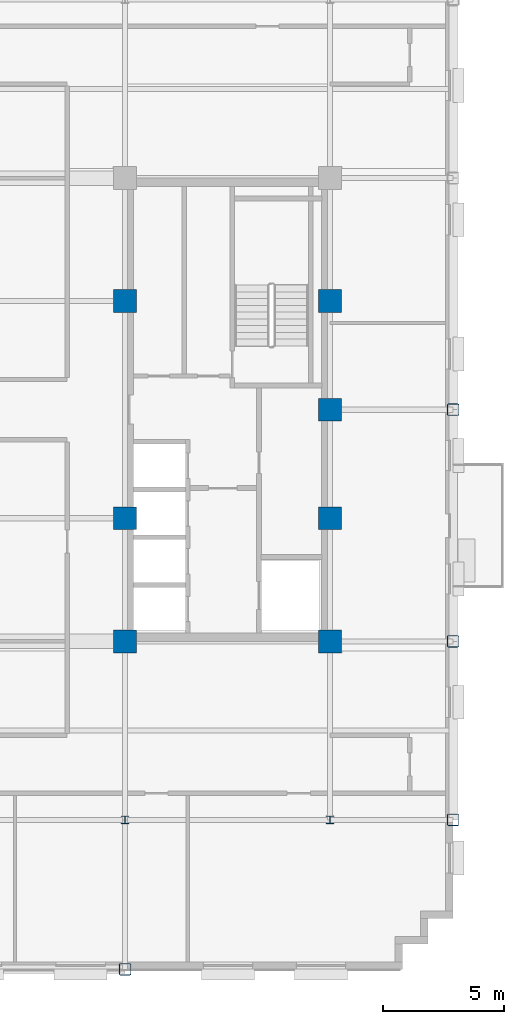
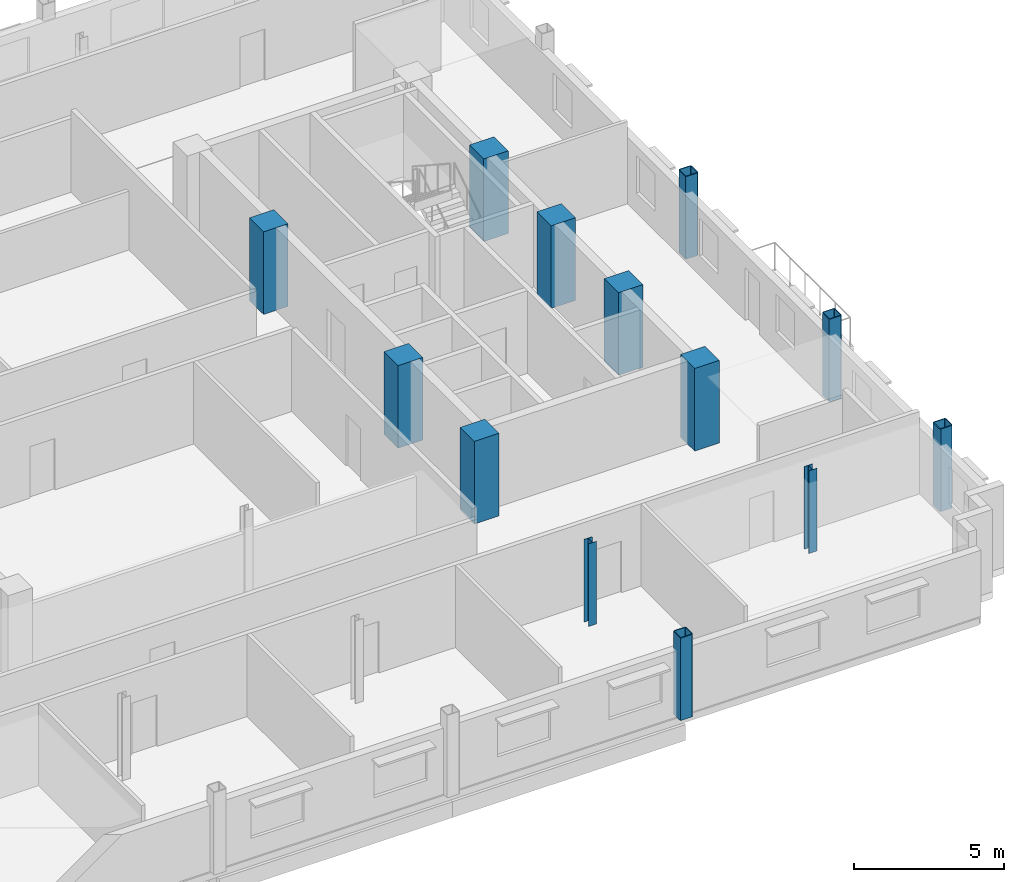
# One storey, part 2 of 15: 13 columns.
"""IFC4 building model written with IfcOpenShell, lengths in metres."""

from ifc_helpers import new_model, si_unit, direction, frame, origin, origin_2d, place, context, subcontext, project, spatial, rectangle, hollow_rectangle, i_section, extrude, material, material_profile, profile_set, type_object, element, save


model = new_model("IFC4")

# Units and contexts
model_context = context("Model", 3, precision=1e-05, world=origin(), true_north=direction((0.0, 1.0)))
body_context = subcontext(model_context, "Body", "Model", "MODEL_VIEW")
ifc_project = project(units=[si_unit("LENGTHUNIT", "METRE"), si_unit("AREAUNIT", "SQUARE_METRE"), si_unit("VOLUMEUNIT", "CUBIC_METRE"), si_unit("PLANEANGLEUNIT", "RADIAN"), si_unit("MASSUNIT", "GRAM", prefix="KILO")], contexts=[model_context])

# Site, building, storey
site_placement = place(None, origin())
site = spatial("IfcSite", under=ifc_project, at=site_placement, CompositionType="ELEMENT")
building_placement = place(site_placement, origin())
building = spatial("IfcBuilding", under=site, at=building_placement, Name="Nuvemarco Arch Tower", CompositionType="ELEMENT")
storey_placement = place(building_placement, frame((0.0, 0.0, 198.199951171875)))
storey = spatial("IfcBuildingStorey", under=building, at=storey_placement, Name="L52", CompositionType="ELEMENT", Elevation=198.199951171875)

# Columns
ifc_material_1 = material(Name="Concrete C50/60", Category="concrete")
ifc_material_profile_1 = material_profile(ifc_material_1, rectangle(XDim=0.949951171875, YDim=0.949951171875, at=origin_2d()), Name="RC-COL-950x950")
ifc_profile_set_1 = profile_set([ifc_material_profile_1], Name="Concrete C50/60")
column_type_1 = type_object("IfcColumnType", Name="COL-CORE-950", PredefinedType="COLUMN", material=ifc_profile_set_1)
for number, where, z_axis, x_axis, name in (
    (1, (9.0, -9.60009765625, 0.0), (0.0, 0.0, 1.0), (1.0, 0.0, 0.0), "L52 column CC_+9.0_-9.6"),
    (2, (9.0, -4.5, 0.0), (0.0, 0.0, 1.0), (1.0, 0.0, 0.0), "L52 column CC_+9.0_-4.5"),
    (3, (9.0, 4.5, 0.0), (0.0, 0.0, 1.0), (1.0, 0.0, 0.0), "L52 column CC_+9.0_+4.5"),
    (4, (17.5, -9.60009765625, 0.0), (0.0, 0.0, 1.0), (1.0, 0.0, 0.0), "L52 column CC_+17.5_-9.6"),
    (5, (17.5, -4.5, 0.0), (0.0, 0.0, 1.0), (1.0, 0.0, 0.0), "L52 column CC_+17.5_-4.5"),
    (6, (17.5, 4.5, 0.0), (0.0, 0.0, 1.0), (1.0, 0.0, 0.0), "L52 column CC_+17.5_+4.5"),
    (7, (17.5, 0.0, 0.0), (0.0, 0.0, 1.0), (1.0, 0.0, 0.0), "L52 column CC_+17.5_+0.0"),
):
    element("IfcColumn", number, at=place(storey_placement, frame(where, z_axis=z_axis, x_axis=x_axis)), inside=storey, type_object=column_type_1, Name=name, PredefinedType="COLUMN", context=body_context, shape_type="SweptSolid", body=[
        extrude(rectangle(XDim=0.949951171875, YDim=0.949951171875, at=origin_2d()), origin(), (0.0, 0.0, 1.0), 3.3701171875),
    ])
ifc_material_2 = material(Name="Steel S355", Category="steel")
ifc_material_profile_2 = material_profile(ifc_material_2, hollow_rectangle(XDim=0.5, YDim=0.5, WallThickness=0.031982421875, InnerFilletRadius=0.031982421875, OuterFilletRadius=0.06396484375, at=origin_2d()), Name="SHS500x500x32")
ifc_profile_set_2 = profile_set([ifc_material_profile_2], Name="Steel S355")
column_type_2 = type_object("IfcColumnType", Name="COL-EXO-500", PredefinedType="COLUMN", material=ifc_profile_set_2)
for number, where, z_axis, x_axis, name in (
    (8, (22.60009765625, -17.0, 0.0), (0.0, 0.0, 1.0), (1.0, 0.0, 0.0), "L52 column CX_+22.6_-17.0"),
    (9, (22.60009765625, -9.60009765625, 0.0), (0.0, 0.0, 1.0), (1.0, 0.0, 0.0), "L52 column CX_+22.6_-9.6"),
    (10, (22.60009765625, 0.0, 0.0), (0.0, 0.0, 1.0), (1.0, 0.0, 0.0), "L52 column CX_+22.6_+0.0"),
    (11, (9.0, -23.199951171875, 0.0), (0.0, 0.0, 1.0), (1.0, 0.0, 0.0), "L52 column CY_+9.0_-23.2"),
):
    element("IfcColumn", number, at=place(storey_placement, frame(where, z_axis=z_axis, x_axis=x_axis)), inside=storey, type_object=column_type_2, Name=name, PredefinedType="COLUMN", context=body_context, shape_type="SweptSolid", body=[
        extrude(hollow_rectangle(XDim=0.5, YDim=0.5, WallThickness=0.031982421875, InnerFilletRadius=0.031982421875, OuterFilletRadius=0.06396484375, at=origin_2d()), origin(), (0.0, 0.0, 1.0), 3.3701171875),
    ])
ifc_material_profile_3 = material_profile(ifc_material_2, i_section(OverallWidth=0.31005859375, OverallDepth=0.31005859375, WebThickness=0.015380859375, FlangeThickness=0.015380859375, FilletRadius=0.014892578125, at=origin_2d()), Name="HP310x110")
ifc_profile_set_3 = profile_set([ifc_material_profile_3], Name="Steel S355")
column_type_3 = type_object("IfcColumnType", Name="COL-STL-HP310", PredefinedType="COLUMN", material=ifc_profile_set_3)
for number, where, z_axis, x_axis, name in (
    (12, (9.0, -17.0, 0.0), (0.0, 0.0, 1.0), (1.0, 0.0, 0.0), "L52 column CI_+9.0_-17.0"),
    (13, (17.5, -17.0, 0.0), (0.0, 0.0, 1.0), (1.0, 0.0, 0.0), "L52 column CI_+17.5_-17.0"),
):
    element("IfcColumn", number, at=place(storey_placement, frame(where, z_axis=z_axis, x_axis=x_axis)), inside=storey, type_object=column_type_3, Name=name, PredefinedType="COLUMN", context=body_context, shape_type="SweptSolid", body=[
        extrude(i_section(OverallWidth=0.31005859375, OverallDepth=0.31005859375, WebThickness=0.015380859375, FlangeThickness=0.015380859375, FilletRadius=0.014892578125, at=origin_2d()), origin(), (0.0, 0.0, 1.0), 3.3701171875),
    ])

save(model, "model.ifc")
